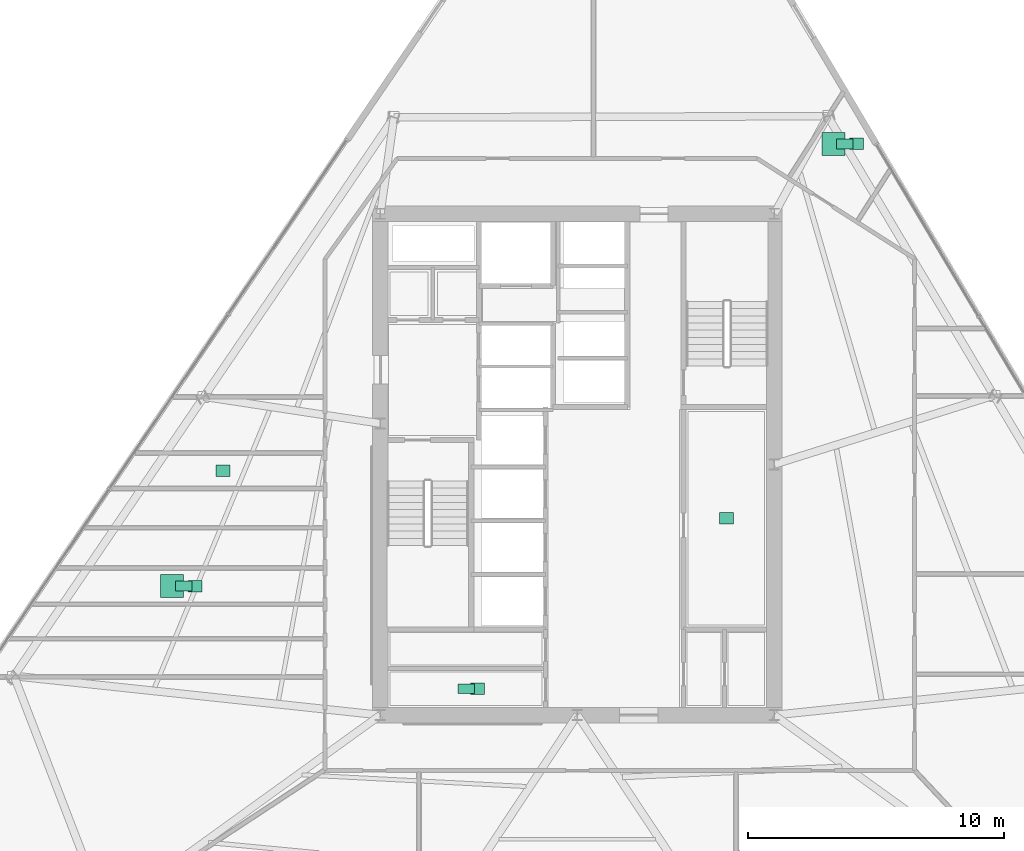
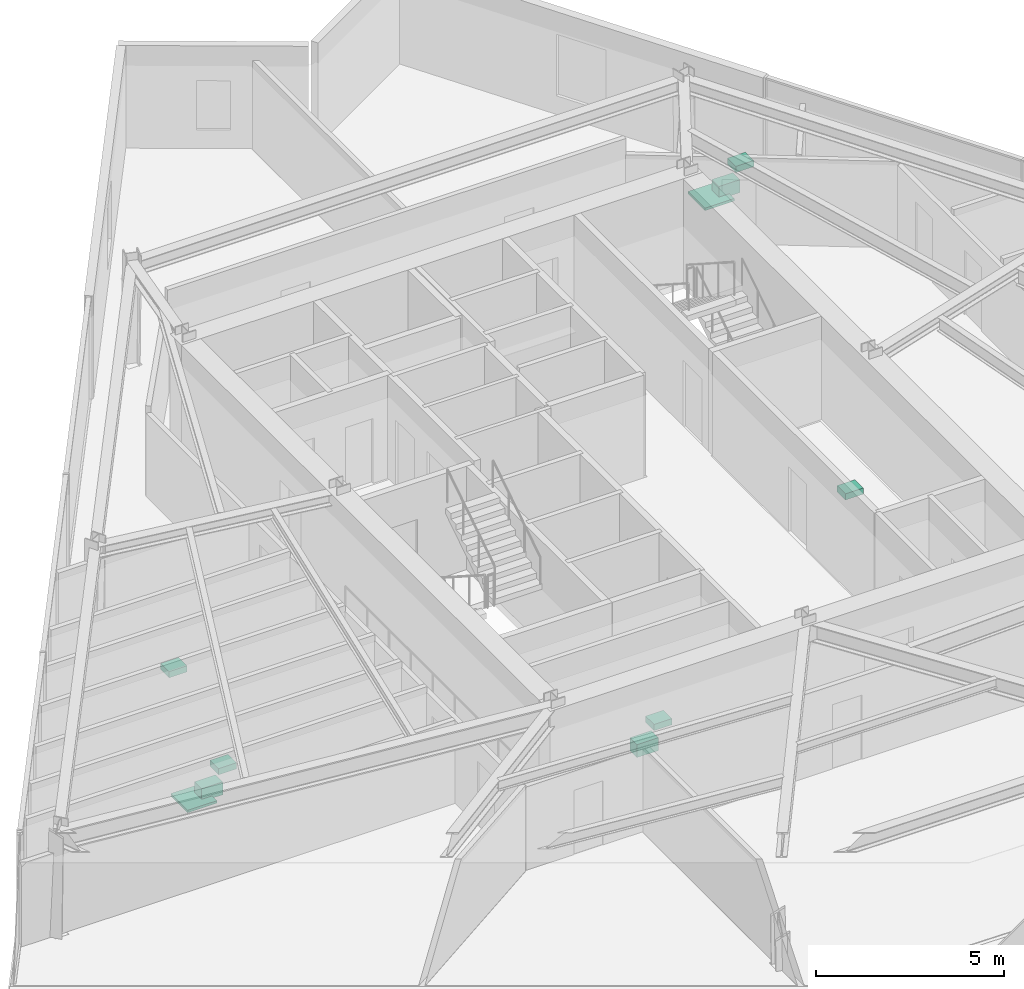
# One storey, part 15 of 15: 10 sanitary terminals.
"""IFC4 building model written with IfcOpenShell, lengths in metres."""

from ifc_helpers import new_model, si_unit, direction, frame, origin, origin_2d, place, context, subcontext, project, spatial, rectangle, extrude, material, type_object, element, save


model = new_model("IFC4")

# Units and contexts
model_context = context("Model", 3, precision=1e-05, world=origin(), true_north=direction((0.0, 1.0)))
body_context = subcontext(model_context, "Body", "Model", "MODEL_VIEW")
ifc_project = project(units=[si_unit("LENGTHUNIT", "METRE"), si_unit("AREAUNIT", "SQUARE_METRE"), si_unit("VOLUMEUNIT", "CUBIC_METRE"), si_unit("PLANEANGLEUNIT", "RADIAN"), si_unit("MASSUNIT", "GRAM", prefix="KILO")], contexts=[model_context])

# Site, building, storey
site_placement = place(None, origin())
site = spatial("IfcSite", under=ifc_project, at=site_placement, CompositionType="ELEMENT")
building_placement = place(site_placement, origin())
building = spatial("IfcBuilding", under=site, at=building_placement, Name="Savorim Split Tower", CompositionType="ELEMENT")
storey_placement = place(building_placement, frame((0.0, 0.0, 118.5)))
storey = spatial("IfcBuildingStorey", under=building, at=storey_placement, Name="L31", CompositionType="ELEMENT", Elevation=118.5)

# Sanitary terminals
ifc_material = material(Name="Vitreous China Sanitaryware")
sanitary_terminal_type_1 = type_object("IfcSanitaryTerminalType", Name="SAN-SHW-900", PredefinedType="SHOWER", material=ifc_material)
for number, where, z_axis, x_axis, name in (
    (1, (-15.84228515625, -4.356201171875, 0.0), (0.0, 0.0, 1.0), (1.0, 0.0, 0.0), "L31 Shared Bathroom Shower"),
    (2, (10.007080078125, 12.92724609375, 0.0), (0.0, 0.0, 1.0), (1.0, 0.0, 0.0), "L31 Shared Bathroom Shower"),
):
    element("IfcSanitaryTerminal", number, at=place(storey_placement, frame(where, z_axis=z_axis, x_axis=x_axis)), inside=storey, type_object=sanitary_terminal_type_1, Name=name, PredefinedType="SHOWER", context=body_context, shape_type="SweptSolid", body=[
        extrude(rectangle(XDim=0.89990234375, YDim=0.89990234375, at=origin_2d()), origin(), (0.0, 0.0, 1.0), 0.080078125),
    ])
sanitary_terminal_type_2 = type_object("IfcSanitaryTerminalType", Name="SAN-WC-PAN", PredefinedType="TOILETPAN", material=ifc_material)
for number, where, z_axis, x_axis, name in (
    (3, (-4.35009765625, -8.3701171875, 0.0), (0.0, 0.0, 1.0), (1.0, 0.0, 0.0), "L31 Public WC WC Pan"),
    (4, (-15.392333984375, -4.356201171875, 0.0), (0.0, 0.0, 1.0), (1.0, 0.0, 0.0), "L31 Shared Bathroom WC Pan"),
    (5, (10.45703125, 12.92724609375, 0.0), (0.0, 0.0, 1.0), (1.0, 0.0, 0.0), "L31 Shared Bathroom WC Pan"),
):
    element("IfcSanitaryTerminal", number, at=place(storey_placement, frame(where, z_axis=z_axis, x_axis=x_axis)), inside=storey, type_object=sanitary_terminal_type_2, Name=name, PredefinedType="TOILETPAN", context=body_context, shape_type="SweptSolid", body=[
        extrude(rectangle(XDim=0.64990234375, YDim=0.3798828125, at=origin_2d()), origin(), (0.0, 0.0, 1.0), 0.419921875),
    ])
sanitary_terminal_type_3 = type_object("IfcSanitaryTerminalType", Name="SAN-WHB-550", PredefinedType="WASHHANDBASIN", material=ifc_material)
for number, where, z_axis, x_axis, name in (
    (6, (5.824951171875, -1.699951171875, 0.75), (0.0, 0.0, 1.0), (1.0, 0.0, 0.0), "L31 Community Laundry Room Utility Sink"),
    (7, (-3.89990234375, -8.3701171875, 0.72021484375), (0.0, 0.0, 1.0), (1.0, 0.0, 0.0), "L31 Public WC Washhand Basin"),
    (8, (-13.859375, 0.150634765625, 0.75), (0.0, 0.0, 1.0), (1.0, 0.0, 0.0), "L31 Shared Kitchen Utility Sink"),
    (9, (-14.9423828125, -4.356201171875, 0.72021484375), (0.0, 0.0, 1.0), (1.0, 0.0, 0.0), "L31 Shared Bathroom Washhand Basin"),
    (10, (10.906982421875, 12.92724609375, 0.72021484375), (0.0, 0.0, 1.0), (1.0, 0.0, 0.0), "L31 Shared Bathroom Washhand Basin"),
):
    element("IfcSanitaryTerminal", number, at=place(storey_placement, frame(where, z_axis=z_axis, x_axis=x_axis)), inside=storey, type_object=sanitary_terminal_type_3, Name=name, PredefinedType="WASHHANDBASIN", context=body_context, shape_type="SweptSolid", body=[
        extrude(rectangle(XDim=0.550048828125, YDim=0.449951171875, at=origin_2d()), origin(), (0.0, 0.0, 1.0), 0.199951171875),
    ])

save(model, "model.ifc")
